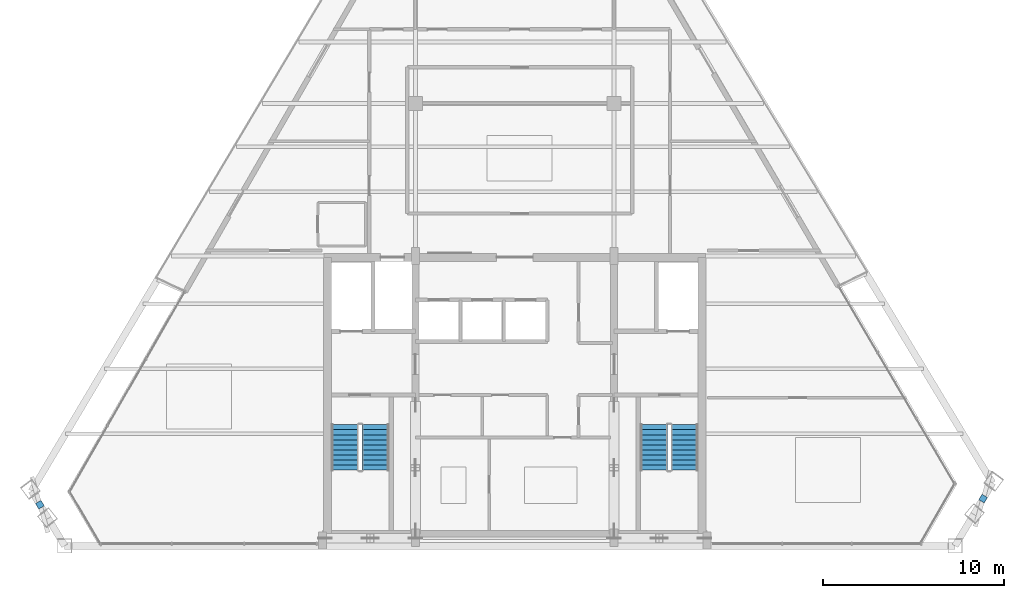
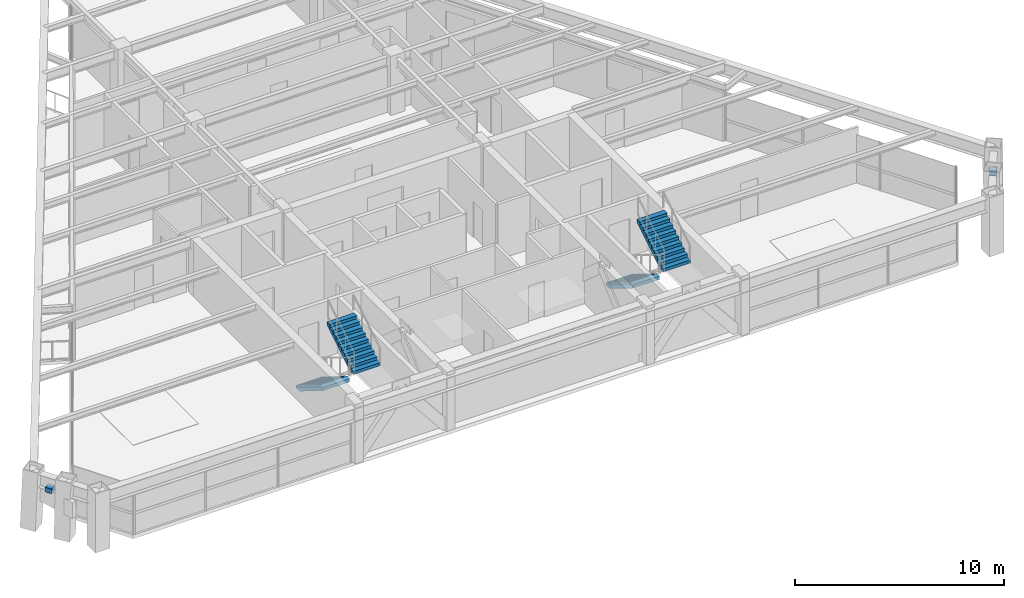
# One storey, part 11 of 13: 4 stair flights, 2 discrete accessories, 2 elements without a shape of their own.
"""IFC4 building model written with IfcOpenShell, lengths in metres."""

from ifc_helpers import new_model, si_unit, direction, frame, origin, origin_2d, place, context, subcontext, project, spatial, polyline, rectangle, outline, extrude, source, transform, mapped, material, type_object, type_shapes, element, aggregate, save


model = new_model("IFC4")

# Units and contexts
model_context = context("Model", 3, precision=1e-05, world=origin(), true_north=direction((0.0, 1.0)))
body_context = subcontext(model_context, "Body", "Model", "MODEL_VIEW")
ifc_project = project(units=[si_unit("LENGTHUNIT", "METRE"), si_unit("AREAUNIT", "SQUARE_METRE"), si_unit("VOLUMEUNIT", "CUBIC_METRE"), si_unit("PLANEANGLEUNIT", "RADIAN"), si_unit("MASSUNIT", "GRAM", prefix="KILO")], contexts=[model_context])

# Site, building, storey
site_placement = place(None, origin())
site = spatial("IfcSite", under=ifc_project, at=site_placement, CompositionType="ELEMENT")
building_placement = place(site_placement, origin())
building = spatial("IfcBuilding", under=site, at=building_placement, Name="Varnakhor Terracotta Tower", CompositionType="ELEMENT")
storey_placement = place(building_placement, frame((0.0, 0.0, 283.35009765625)))
storey = spatial("IfcBuildingStorey", under=building, at=storey_placement, Name="L74", CompositionType="ELEMENT", Elevation=283.35009765625)

# Stair, stair flights
ifc_material_1 = material(Name="Concrete C40/50", Category="concrete")
stair_type = type_object("IfcStairType", Name="STR-CORE-HOTEL-1500", PredefinedType="HALF_TURN_STAIR", material=ifc_material_1)
stair_1_placement = place(storey_placement, origin())
stair_1 = element("IfcStair", 1, at=stair_1_placement, inside=storey, type_object=stair_type, Name="L74 Core Exit Stair ST-1", PredefinedType="HALF_TURN_STAIR")
stair_flight_type = type_object("IfcStairFlightType", Name="FLT-HOTEL-1500", PredefinedType="STRAIGHT", material=ifc_material_1)
stair_flight_1_placement = place(storey_placement, frame((-9.39990234375, 6.7099609375, 0.0), z_axis=(0.0, 0.0, 1.0), x_axis=(0.0, -1.0, 0.0)))
stair_flight_1 = element("IfcStairFlight", 2, at=stair_flight_1_placement, type_object=stair_flight_type, Name="ST-1 flight 1", NumberOfRisers=10, NumberOfTreads=9, PredefinedType="STRAIGHT", RiserHeight=0.1725, TreadLength=0.28, context=body_context, shape_type="SweptSolid", body=[
    extrude(outline(polyline([(0.0, 0.0), (0.0, 0.172607421875), (0.280029296875, 0.172607421875), (0.280029296875, 0.344970703125), (0.56005859375, 0.344970703125), (0.56005859375, 0.517578125), (0.840087890625, 0.517578125), (0.840087890625, 0.68994140625), (1.1201171875, 0.68994140625), (1.1201171875, 0.862548828125), (1.39990234375, 0.862548828125), (1.39990234375, 1.034912109375), (1.679931640625, 1.034912109375), (1.679931640625, 1.20751953125), (1.9599609375, 1.20751953125), (1.9599609375, 1.3798828125), (2.239990234375, 1.3798828125), (2.239990234375, 1.552490234375), (2.52001953125, 1.552490234375), (2.52001953125, 1.72509765625), (2.52001953125, 1.36474609375), (0.304931640625, 0.0), (0.0, 0.0)])), frame((0.0, 0.75, 0.0), z_axis=(0.0, -1.0, 0.0), x_axis=(1.0, 0.0, 0.0)), (0.0, 0.0, 1.0), 1.5),
])
stair_flight_2_placement = place(storey_placement, frame((-7.699951171875, 4.18994140625, 1.724853515625), z_axis=(0.0, 0.0, 1.0), x_axis=(0.0, 1.0, 0.0)))
stair_flight_2 = element("IfcStairFlight", 3, at=stair_flight_2_placement, type_object=stair_flight_type, Name="ST-1 flight 2", NumberOfRisers=10, NumberOfTreads=9, PredefinedType="STRAIGHT", RiserHeight=0.1725, TreadLength=0.28, context=body_context, shape_type="SweptSolid", body=[
    extrude(outline(polyline([(0.0, 0.0), (0.0, 0.172607421875), (0.280029296875, 0.172607421875), (0.280029296875, 0.344970703125), (0.56005859375, 0.344970703125), (0.56005859375, 0.517578125), (0.840087890625, 0.517578125), (0.840087890625, 0.68994140625), (1.1201171875, 0.68994140625), (1.1201171875, 0.862548828125), (1.39990234375, 0.862548828125), (1.39990234375, 1.034912109375), (1.679931640625, 1.034912109375), (1.679931640625, 1.20751953125), (1.9599609375, 1.20751953125), (1.9599609375, 1.3798828125), (2.239990234375, 1.3798828125), (2.239990234375, 1.552490234375), (2.52001953125, 1.552490234375), (2.52001953125, 1.72509765625), (2.52001953125, 1.36474609375), (0.304931640625, 0.0), (0.0, 0.0)])), frame((0.0, 0.75, 0.0), z_axis=(0.0, -1.0, 0.0), x_axis=(1.0, 0.0, 0.0)), (0.0, 0.0, 1.0), 1.5),
])
aggregate(stair_1, [stair_flight_1, stair_flight_2])

stair_2_placement = place(storey_placement, origin())
stair_2 = element("IfcStair", 4, at=stair_2_placement, inside=storey, type_object=stair_type, Name="L74 Core Exit Stair ST-2", PredefinedType="HALF_TURN_STAIR")
stair_flight_3_placement = place(storey_placement, frame((7.699951171875, 6.7099609375, 0.0), z_axis=(0.0, 0.0, 1.0), x_axis=(0.0, -1.0, 0.0)))
stair_flight_3 = element("IfcStairFlight", 5, at=stair_flight_3_placement, type_object=stair_flight_type, Name="ST-2 flight 1", NumberOfRisers=10, NumberOfTreads=9, PredefinedType="STRAIGHT", RiserHeight=0.1725, TreadLength=0.28, context=body_context, shape_type="SweptSolid", body=[
    extrude(outline(polyline([(0.0, 0.0), (0.0, 0.172607421875), (0.280029296875, 0.172607421875), (0.280029296875, 0.344970703125), (0.56005859375, 0.344970703125), (0.56005859375, 0.517578125), (0.840087890625, 0.517578125), (0.840087890625, 0.68994140625), (1.1201171875, 0.68994140625), (1.1201171875, 0.862548828125), (1.39990234375, 0.862548828125), (1.39990234375, 1.034912109375), (1.679931640625, 1.034912109375), (1.679931640625, 1.20751953125), (1.9599609375, 1.20751953125), (1.9599609375, 1.3798828125), (2.239990234375, 1.3798828125), (2.239990234375, 1.552490234375), (2.52001953125, 1.552490234375), (2.52001953125, 1.72509765625), (2.52001953125, 1.36474609375), (0.304931640625, 0.0), (0.0, 0.0)])), frame((0.0, 0.75, 0.0), z_axis=(0.0, -1.0, 0.0), x_axis=(1.0, 0.0, 0.0)), (0.0, 0.0, 1.0), 1.5),
])
stair_flight_4_placement = place(storey_placement, frame((9.39990234375, 4.18994140625, 1.724853515625), z_axis=(0.0, 0.0, 1.0), x_axis=(0.0, 1.0, 0.0)))
stair_flight_4 = element("IfcStairFlight", 6, at=stair_flight_4_placement, type_object=stair_flight_type, Name="ST-2 flight 2", NumberOfRisers=10, NumberOfTreads=9, PredefinedType="STRAIGHT", RiserHeight=0.1725, TreadLength=0.28, context=body_context, shape_type="SweptSolid", body=[
    extrude(outline(polyline([(0.0, 0.0), (0.0, 0.172607421875), (0.280029296875, 0.172607421875), (0.280029296875, 0.344970703125), (0.56005859375, 0.344970703125), (0.56005859375, 0.517578125), (0.840087890625, 0.517578125), (0.840087890625, 0.68994140625), (1.1201171875, 0.68994140625), (1.1201171875, 0.862548828125), (1.39990234375, 0.862548828125), (1.39990234375, 1.034912109375), (1.679931640625, 1.034912109375), (1.679931640625, 1.20751953125), (1.9599609375, 1.20751953125), (1.9599609375, 1.3798828125), (2.239990234375, 1.3798828125), (2.239990234375, 1.552490234375), (2.52001953125, 1.552490234375), (2.52001953125, 1.72509765625), (2.52001953125, 1.36474609375), (0.304931640625, 0.0), (0.0, 0.0)])), frame((0.0, 0.75, 0.0), z_axis=(0.0, -1.0, 0.0), x_axis=(1.0, 0.0, 0.0)), (0.0, 0.0, 1.0), 1.5),
])
aggregate(stair_2, [stair_flight_3, stair_flight_4])

# Discrete accessories
ifc_material_2 = material(Name="Stainless Steel Fixing Bracket", Category="steel")
discrete_accessory_type = type_object("IfcDiscreteAccessoryType", Name="BRACKET-TERRACOTTA-SCREEN", PredefinedType="BRACKET", material=ifc_material_2)
shared_shape = source(origin(), body_context, "Body", "SweptSolid", [
    extrude(rectangle(XDim=0.35009765625, YDim=0.35009765625, at=origin_2d()), origin(), (0.0, 0.0, 1.0), 0.280029296875),
])
type_shapes(discrete_accessory_type, [shared_shape])
for number, where, z_axis, x_axis, name in (
    (7, (25.933349609375, 2.614501953125, 2.3369140625), (0.0, 0.0, 1.0), (0.511518060625, 0.859272525835, 0.0), "L74 E Screen Fixing Bracket"),
    (8, (-26.291015625, 2.27734375, 2.3369140625), (0.0, 0.0, 1.0), (0.516862073739, -0.856068686923, 0.0), "L74 W Screen Fixing Bracket"),
):
    element("IfcDiscreteAccessory", number, at=place(storey_placement, frame(where, z_axis=z_axis, x_axis=x_axis)), inside=storey, type_object=discrete_accessory_type, Name=name, PredefinedType="BRACKET", context=body_context, shape_type="MappedRepresentation", body=[
        mapped(shared_shape, transform((0.0, 0.0, 0.0), scale=1.0)),
    ])

save(model, "model.ifc")
